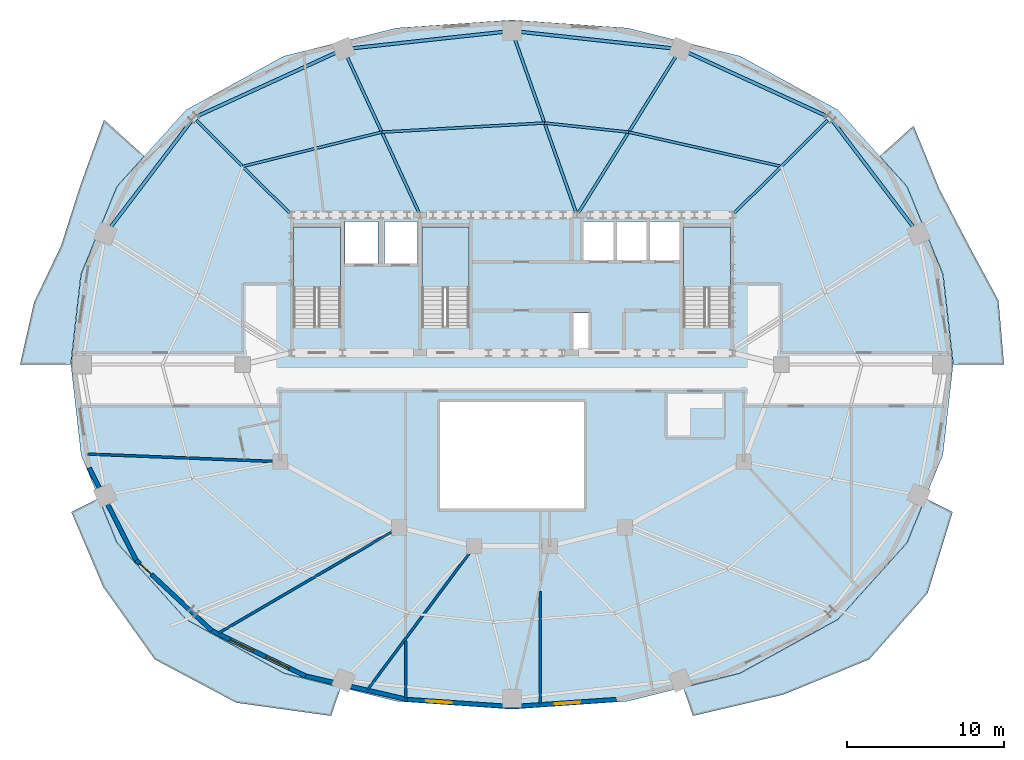
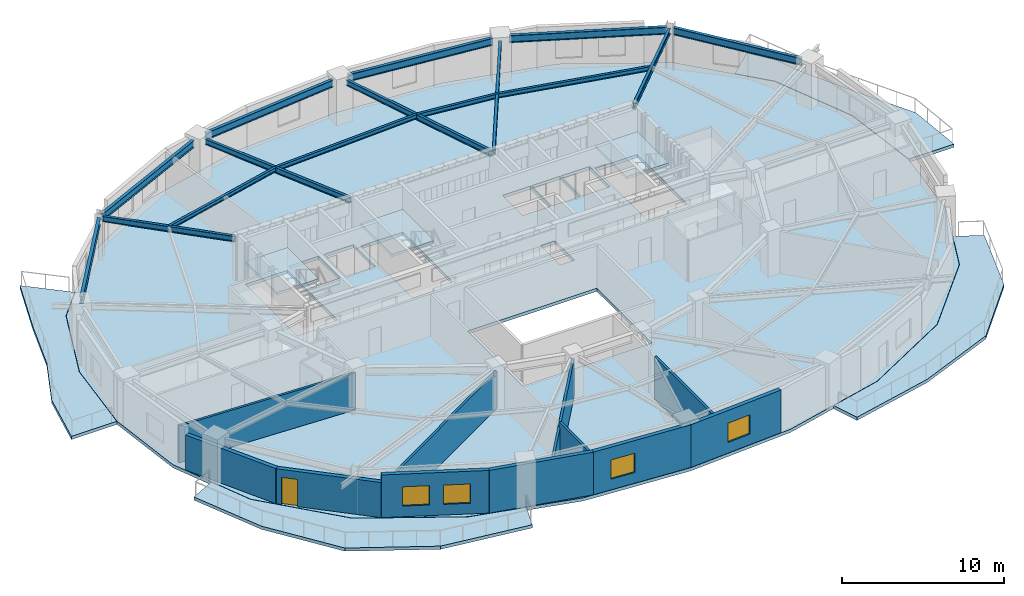
# One storey, part 3 of 11: 15 beams, 11 walls, 8 slabs, 4 windows, 1 door, 5 openings, 3 elements without a shape of their own.
"""IFC4 building model written with IfcOpenShell, lengths in metres."""

from ifc_helpers import new_model, si_unit, direction, frame, frame_2d, origin, origin_2d, place, context, subcontext, project, spatial, polyline, rectangle, i_section, outline, extrude, material, layer, layer_set, material_profile, profile_set, type_object, element, fill, aggregate, save


model = new_model("IFC4")

# Units and contexts
model_context = context("Model", 3, precision=1e-05, world=origin(), true_north=direction((0.0, 1.0)))
body_context = subcontext(model_context, "Body", "Model", "MODEL_VIEW")
ifc_project = project(units=[si_unit("LENGTHUNIT", "METRE"), si_unit("AREAUNIT", "SQUARE_METRE"), si_unit("VOLUMEUNIT", "CUBIC_METRE"), si_unit("PLANEANGLEUNIT", "RADIAN"), si_unit("MASSUNIT", "GRAM", prefix="KILO")], contexts=[model_context])

# Site, building, storey
site_placement = place(None, origin())
site = spatial("IfcSite", under=ifc_project, at=site_placement, CompositionType="ELEMENT")
building_placement = place(site_placement, origin())
building = spatial("IfcBuilding", under=site, at=building_placement, Name="Haldorwick Loom Tower", CompositionType="ELEMENT")
storey_placement = place(building_placement, frame((0.0, 0.0, 208.300048828125)))
storey = spatial("IfcBuildingStorey", under=building, at=storey_placement, Name="L56", CompositionType="ELEMENT", Elevation=208.300048828125)

# Beams
ifc_material_1 = material(Name="Steel CSA G40.21 350W", Category="steel")
ifc_material_profile_1 = material_profile(ifc_material_1, i_section(OverallWidth=0.166015625, OverallDepth=0.31298828125, WebThickness=0.006591796875, FlangeThickness=0.01123046875, at=origin_2d()), Name="W310X45", Category="steel")
ifc_profile_set_1 = profile_set([ifc_material_profile_1], Name="Steel CSA G40.21 350W")
beam_type_1 = type_object("IfcBeamType", Name="STR-BM-J310", PredefinedType="JOIST", material=ifc_profile_set_1)
beam_1_placement = place(storey_placement, frame((53.19384765625, 38.657470703125, 3.053466796875), z_axis=(-0.975700785876, 0.219107225898, 0.0), x_axis=(-0.219107225898, -0.975700785876, 0.0)))
element("IfcBeam", 1, at=beam_1_placement, inside=storey, type_object=beam_type_1, Name="L56 Mid-Bay Secondary Joist 3", PredefinedType="JOIST", context=body_context, shape_type="SweptSolid", body=[
    extrude(i_section(OverallWidth=0.166015625, OverallDepth=0.31298828125, WebThickness=0.006591796875, FlangeThickness=0.01123046875, at=origin_2d()), origin(), (0.0, 0.0, 1.0), 9.98486328125),
])
beam_2_placement = place(storey_placement, frame((43.45166015625, 40.84521484375, 3.053466796875), z_axis=(-0.994187082722, 0.107666357549, 0.0), x_axis=(-0.107666357549, -0.994187082722, 0.0)))
element("IfcBeam", 2, at=beam_2_placement, inside=storey, type_object=beam_type_1, Name="L56 Mid-Bay Secondary Joist 4", PredefinedType="JOIST", context=body_context, shape_type="SweptSolid", body=[
    extrude(i_section(OverallWidth=0.166015625, OverallDepth=0.31298828125, WebThickness=0.006591796875, FlangeThickness=0.01123046875, at=origin_2d()), origin(), (0.0, 0.0, 1.0), 5.408203125),
])
beam_3_placement = place(storey_placement, frame((38.074951171875, 41.427490234375, 3.053466796875), z_axis=(-0.998432354117, -0.05597172726, 0.0), x_axis=(0.05597172726, -0.998432354117, 0.0)))
element("IfcBeam", 3, at=beam_3_placement, inside=storey, type_object=beam_type_1, Name="L56 Mid-Bay Secondary Joist 5", PredefinedType="JOIST", context=body_context, shape_type="SweptSolid", body=[
    extrude(i_section(OverallWidth=0.166015625, OverallDepth=0.31298828125, WebThickness=0.006591796875, FlangeThickness=0.01123046875, at=origin_2d()), origin(), (0.0, 0.0, 1.0), 10.403076171875),
])
beam_4_placement = place(storey_placement, frame((27.688232421875, 40.84521484375, 3.053466796875), z_axis=(-0.970979703726, -0.239161901132, 0.0), x_axis=(0.239161901132, -0.970979703726, 0.0)))
element("IfcBeam", 4, at=beam_4_placement, inside=storey, type_object=beam_type_1, Name="L56 Mid-Bay Secondary Joist 6", PredefinedType="JOIST", context=body_context, shape_type="SweptSolid", body=[
    extrude(i_section(OverallWidth=0.166015625, OverallDepth=0.31298828125, WebThickness=0.006591796875, FlangeThickness=0.01123046875, at=origin_2d()), origin(), (0.0, 0.0, 1.0), 9.1474609375),
])
ifc_material_profile_2 = material_profile(ifc_material_1, i_section(OverallWidth=0.179931640625, OverallDepth=0.4130859375, WebThickness=0.009765625, FlangeThickness=0.01611328125, at=origin_2d()), Name="W410X74", Category="steel")
ifc_profile_set_2 = profile_set([ifc_material_profile_2], Name="Steel CSA G40.21 350W")
beam_type_2 = type_object("IfcBeamType", Name="STR-BM-J410", PredefinedType="JOIST", material=ifc_profile_set_2)
beam_5_placement = place(storey_placement, frame((50.1962890625, 35.675537109375, 3.00341796875), z_axis=(0.708962390492, 0.70524628951, 0.0), x_axis=(-0.70524628951, 0.708962390492, 0.0)))
element("IfcBeam", 5, at=beam_5_placement, inside=storey, type_object=beam_type_2, Name="L56 Radial Floor Girder 3", PredefinedType="JOIST", context=body_context, shape_type="SweptSolid", body=[
    extrude(i_section(OverallWidth=0.179931640625, OverallDepth=0.4130859375, WebThickness=0.009765625, FlangeThickness=0.01611328125, at=origin_2d()), origin(), (0.0, 0.0, 1.0), 8.409423828125),
])
beam_6_placement = place(storey_placement, frame((40.244140625, 35.700927734375, 3.00341796875), z_axis=(0.529095323143, 0.848562395483, 0.0), x_axis=(-0.848562395483, 0.529095323143, 0.0)))
element("IfcBeam", 6, at=beam_6_placement, inside=storey, type_object=beam_type_2, Name="L56 Radial Floor Girder 4", PredefinedType="JOIST", context=body_context, shape_type="SweptSolid", body=[
    extrude(i_section(OverallWidth=0.179931640625, OverallDepth=0.4130859375, WebThickness=0.009765625, FlangeThickness=0.01611328125, at=origin_2d()), origin(), (0.0, 0.0, 1.0), 11.78271484375),
])
beam_7_placement = place(storey_placement, frame((40.0908203125, 35.7177734375, 3.00341796875), z_axis=(-0.332908014691, 0.942959306521, 0.0), x_axis=(-0.942959306521, -0.332908014691, 0.0)))
element("IfcBeam", 7, at=beam_7_placement, inside=storey, type_object=beam_type_2, Name="L56 Radial Floor Girder 5", PredefinedType="JOIST", context=body_context, shape_type="SweptSolid", body=[
    extrude(i_section(OverallWidth=0.179931640625, OverallDepth=0.4130859375, WebThickness=0.009765625, FlangeThickness=0.01611328125, at=origin_2d()), origin(), (0.0, 0.0, 1.0), 11.768310546875),
])
beam_8_placement = place(storey_placement, frame((30.055419921875, 35.711669921875, 3.00341796875), z_axis=(-0.418729142855, 0.908111174319, 0.0), x_axis=(-0.908111174319, -0.418729142855, 0.0)))
element("IfcBeam", 8, at=beam_8_placement, inside=storey, type_object=beam_type_2, Name="L56 Radial Floor Girder 6", PredefinedType="JOIST", context=body_context, shape_type="SweptSolid", body=[
    extrude(i_section(OverallWidth=0.179931640625, OverallDepth=0.4130859375, WebThickness=0.009765625, FlangeThickness=0.01611328125, at=origin_2d()), origin(), (0.0, 0.0, 1.0), 10.96435546875),
])
beam_9_placement = place(storey_placement, frame((21.8037109375, 35.675537109375, 3.00341796875), z_axis=(-0.708962390492, 0.70524628951, 0.0), x_axis=(-0.70524628951, -0.708962390492, 0.0)))
element("IfcBeam", 9, at=beam_9_placement, inside=storey, type_object=beam_type_2, Name="L56 Radial Floor Girder 7", PredefinedType="JOIST", context=body_context, shape_type="SweptSolid", body=[
    extrude(i_section(OverallWidth=0.179931640625, OverallDepth=0.4130859375, WebThickness=0.009765625, FlangeThickness=0.01611328125, at=origin_2d()), origin(), (0.0, 0.0, 1.0), 8.409423828125),
])
ifc_material_profile_3 = material_profile(ifc_material_1, i_section(OverallWidth=0.2119140625, OverallDepth=0.5439453125, WebThickness=0.01318359375, FlangeThickness=0.021240234375, at=origin_2d()), Name="W530X123", Category="steel")
ifc_profile_set_3 = profile_set([ifc_material_profile_3], Name="Steel CSA G40.21 350W")
beam_type_3 = type_object("IfcBeamType", Name="STR-BM-SP530", PredefinedType="SPANDREL", material=ifc_profile_set_3)
beam_10_placement = place(storey_placement, frame((61.646240234375, 34.75634765625, 2.93798828125), z_axis=(-0.605236944797, 0.796045376001, 0.0), x_axis=(-0.796045376001, -0.605236944797, 0.0)))
element("IfcBeam", 10, at=beam_10_placement, inside=storey, type_object=beam_type_3, Name="L56 Perimeter Spandrel 2", PredefinedType="SPANDREL", context=body_context, shape_type="SweptSolid", body=[
    extrude(i_section(OverallWidth=0.2119140625, OverallDepth=0.5439453125, WebThickness=0.01318359375, FlangeThickness=0.021240234375, at=origin_2d()), origin(), (0.0, 0.0, 1.0), 8.5791015625),
])
beam_11_placement = place(storey_placement, frame((56.113037109375, 41.8583984375, 2.93798828125), z_axis=(-0.909342182232, 0.416049030299, 0.0), x_axis=(-0.416049030299, -0.909342182232, 0.0)))
element("IfcBeam", 11, at=beam_11_placement, inside=storey, type_object=beam_type_3, Name="L56 Perimeter Spandrel 3", PredefinedType="SPANDREL", context=body_context, shape_type="SweptSolid", body=[
    extrude(i_section(OverallWidth=0.2119140625, OverallDepth=0.5439453125, WebThickness=0.01318359375, FlangeThickness=0.021240234375, at=origin_2d()), origin(), (0.0, 0.0, 1.0), 9.772705078125),
])
for number, where, z_axis, x_axis, name in (
    (12, (46.236328125, 46.196533203125, 2.93798828125), (-0.994187774205, 0.107659972233, 0.0), (-0.107659972233, -0.994187774205, 0.0), "L56 Perimeter Spandrel 4"),
    (13, (35.48291015625, 47.2490234375, 2.93798828125), (-0.994187774205, -0.107659972233, 0.0), (0.107659972233, -0.994187774205, 0.0), "L56 Perimeter Spandrel 5"),
):
    element("IfcBeam", number, at=place(storey_placement, frame(where, z_axis=z_axis, x_axis=x_axis)), inside=storey, type_object=beam_type_3, Name=name, PredefinedType="SPANDREL", context=body_context, shape_type="SweptSolid", body=[
        extrude(i_section(OverallWidth=0.2119140625, OverallDepth=0.5439453125, WebThickness=0.01318359375, FlangeThickness=0.021240234375, at=origin_2d()), origin(), (0.0, 0.0, 1.0), 9.776123046875),
    ])
beam_12_placement = place(storey_placement, frame((24.773681640625, 45.92431640625, 2.93798828125), z_axis=(-0.909342182232, -0.416049030299, 0.0), x_axis=(0.416049030299, -0.909342182232, 0.0)))
element("IfcBeam", 14, at=beam_12_placement, inside=storey, type_object=beam_type_3, Name="L56 Perimeter Spandrel 6", PredefinedType="SPANDREL", context=body_context, shape_type="SweptSolid", body=[
    extrude(i_section(OverallWidth=0.2119140625, OverallDepth=0.5439453125, WebThickness=0.01318359375, FlangeThickness=0.021240234375, at=origin_2d()), origin(), (0.0, 0.0, 1.0), 9.772705078125),
])
beam_13_placement = place(storey_placement, frame((15.546142578125, 41.585693359375, 2.93798828125), z_axis=(-0.605236944797, -0.796045376001, 0.0), x_axis=(0.796045376001, -0.605236944797, 0.0)))
element("IfcBeam", 15, at=beam_13_placement, inside=storey, type_object=beam_type_3, Name="L56 Perimeter Spandrel 7", PredefinedType="SPANDREL", context=body_context, shape_type="SweptSolid", body=[
    extrude(i_section(OverallWidth=0.2119140625, OverallDepth=0.5439453125, WebThickness=0.01318359375, FlangeThickness=0.021240234375, at=origin_2d()), origin(), (0.0, 0.0, 1.0), 8.5791015625),
])

# Slabs
ifc_material_2 = material(Name="Concrete C40 (40 MPa)", Category="concrete")
ifc_layer_1 = layer(ifc_material_2, 0.239990234375, Name="Concrete C40 (40 MPa)", Category="concrete")
ifc_layer_set_1 = layer_set([ifc_layer_1], Name="Concrete C40 (40 MPa)")
slab_type_1 = type_object("IfcSlabType", Name="STR-SLB-BAL240", PredefinedType="FLOOR", material=ifc_layer_set_1)
slab_1_placement = place(storey_placement, frame((0.0, 0.0, -0.239990234375)))
element("IfcSlab", 16, at=slab_1_placement, inside=storey, type_object=slab_type_1, Name="L56 Sinusoidal Balcony Terrace BAL_SE", PredefinedType="FLOOR", context=body_context, shape_type="SweptSolid", body=[
    extrude(outline(polyline([(62.392578125, 17.462646484375), (61.229736328125, 14.62060546875), (61.229248046875, 14.619384765625), (61.228515625, 14.6181640625), (61.227783203125, 14.6171875), (61.22705078125, 14.6162109375), (56.82373046875, 9.72998046875), (56.82275390625, 9.72900390625), (56.8212890625, 9.727783203125), (56.81982421875, 9.72705078125), (50.565673828125, 6.287109375), (50.564453125, 6.286376953125), (50.563232421875, 6.285888671875), (50.56201171875, 6.285400390625), (46.935791015625, 5.380126953125), (47.552734375, 3.570068359375), (53.33056640625, 4.9296875), (58.8134765625, 7.178955078125), (62.54052734375, 11.405029296875), (64.133056640625, 16.580810546875), (62.392578125, 17.462646484375)])), origin(), (0.0, 0.0, 1.0), 0.239990234375),
])
slab_2_placement = place(storey_placement, frame((0.0, 0.0, -0.239990234375)))
element("IfcSlab", 17, at=slab_2_placement, inside=storey, type_object=slab_type_1, Name="L56 Sinusoidal Balcony Terrace BAL_SW", PredefinedType="FLOOR", context=body_context, shape_type="SweptSolid", body=[
    extrude(outline(polyline([(25.064208984375, 5.380126953125), (21.43798828125, 6.285400390625), (21.436767578125, 6.285888671875), (21.435546875, 6.286376953125), (21.434326171875, 6.287109375), (15.18017578125, 9.72705078125), (15.1787109375, 9.727783203125), (15.17724609375, 9.72900390625), (15.17626953125, 9.72998046875), (10.77294921875, 14.6162109375), (10.772216796875, 14.6171875), (10.771484375, 14.6181640625), (10.770751953125, 14.619384765625), (10.770263671875, 14.62060546875), (9.607421875, 17.462646484375), (7.866943359375, 16.580810546875), (9.905517578125, 11.78662109375), (13.1865234375, 7.178955078125), (18.397705078125, 4.4091796875), (24.447265625, 3.570068359375), (25.064208984375, 5.380126953125)])), origin(), (0.0, 0.0, 1.0), 0.239990234375),
])
slab_3_placement = place(storey_placement, frame((0.0, 0.0, -0.239990234375)))
element("IfcSlab", 18, at=slab_3_placement, inside=storey, type_object=slab_type_1, Name="L56 Sinusoidal Balcony Terrace BAL_WNW", PredefinedType="FLOOR", context=body_context, shape_type="SweptSolid", body=[
    extrude(outline(polyline([(7.818603515625, 26.0), (7.818603515625, 26.001708984375), (8.472412109375, 31.760986328125), (8.47265625, 31.762451171875), (8.472900390625, 31.763916015625), (8.473388671875, 31.76513671875), (10.770263671875, 37.37939453125), (10.770751953125, 37.380615234375), (10.771484375, 37.3818359375), (10.772216796875, 37.3828125), (10.77294921875, 37.3837890625), (12.51318359375, 39.315185546875), (9.95068359375, 41.6318359375), (8.429443359375, 37.416015625), (7.20166015625, 33.568603515625), (5.4833984375, 29.979736328125), (4.58349609375, 26.0), (7.818603515625, 26.0)])), origin(), (0.0, 0.0, 1.0), 0.239990234375),
])
slab_4_placement = place(storey_placement, frame((0.0, 0.0, -0.239990234375)))
element("IfcSlab", 19, at=slab_4_placement, inside=storey, type_object=slab_type_1, Name="L56 Sinusoidal Balcony Terrace BAL_ENE", PredefinedType="FLOOR", context=body_context, shape_type="SweptSolid", body=[
    extrude(outline(polyline([(59.487060546875, 39.314697265625), (61.22705078125, 37.3837890625), (61.227783203125, 37.3828125), (61.228515625, 37.3818359375), (61.229248046875, 37.380615234375), (61.229736328125, 37.37939453125), (63.526611328125, 31.76513671875), (63.527099609375, 31.763916015625), (63.52734375, 31.762451171875), (63.527587890625, 31.760986328125), (64.181396484375, 26.001708984375), (64.181396484375, 26.0), (67.41650390625, 26.0), (67.06396484375, 30.090576171875), (65.116943359375, 33.701171875), (63.281494140625, 37.227294921875), (61.640380859375, 41.251708984375), (59.487060546875, 39.314697265625)])), origin(), (0.0, 0.0, 1.0), 0.239990234375),
])

# Stair, slab
stair_type = type_object("IfcStairType", Name="STR-STR-CORE", PredefinedType="HALF_TURN_STAIR", material=ifc_material_2)
stair_1_placement = place(storey_placement, origin())
stair_1 = element("IfcStair", 20, at=stair_1_placement, inside=storey, type_object=stair_type, Name="L56 Exit Stair ST-01", PredefinedType="HALF_TURN_STAIR")
ifc_layer_2 = layer(ifc_material_2, 0.199951171875, Name="Concrete C40 (40 MPa)", Category="concrete")
ifc_layer_set_2 = layer_set([ifc_layer_2], Name="Concrete C40 (40 MPa)")
slab_type_2 = type_object("IfcSlabType", Name="STR-SLB-LAND200", PredefinedType="LANDING", material=ifc_layer_set_2)
slab_5_placement = place(storey_placement, frame((0.0, 0.0, 1.52490234375)))
slab_5 = element("IfcSlab", 21, at=slab_5_placement, type_object=slab_type_2, Name="ST-01 landing 1", PredefinedType="LANDING", context=body_context, shape_type="SweptSolid", body=[
    extrude(outline(polyline([(25.050048828125, 30.919921875), (25.050048828125, 34.800048828125), (22.050048828125, 34.800048828125), (22.050048828125, 30.919921875), (25.050048828125, 30.919921875)])), origin(), (0.0, 0.0, 1.0), 0.199951171875),
])
aggregate(stair_1, [slab_5])

stair_2_placement = place(storey_placement, origin())
stair_2 = element("IfcStair", 22, at=stair_2_placement, inside=storey, type_object=stair_type, Name="L56 Exit Stair ST-02", PredefinedType="HALF_TURN_STAIR")
slab_6_placement = place(storey_placement, frame((0.0, 0.0, 1.52490234375)))
slab_6 = element("IfcSlab", 23, at=slab_6_placement, type_object=slab_type_2, Name="ST-02 landing 1", PredefinedType="LANDING", context=body_context, shape_type="SweptSolid", body=[
    extrude(outline(polyline([(49.949951171875, 30.919921875), (49.949951171875, 34.800048828125), (46.949951171875, 34.800048828125), (46.949951171875, 30.919921875), (49.949951171875, 30.919921875)])), origin(), (0.0, 0.0, 1.0), 0.199951171875),
])
aggregate(stair_2, [slab_6])

stair_3_placement = place(storey_placement, origin())
stair_3 = element("IfcStair", 24, at=stair_3_placement, inside=storey, type_object=stair_type, Name="L56 Exit Stair ST-03", PredefinedType="HALF_TURN_STAIR")
slab_7_placement = place(storey_placement, frame((0.0, 0.0, 1.52490234375)))
slab_7 = element("IfcSlab", 25, at=slab_7_placement, type_object=slab_type_2, Name="ST-03 landing 1", PredefinedType="LANDING", context=body_context, shape_type="SweptSolid", body=[
    extrude(outline(polyline([(33.25, 30.919921875), (33.25, 34.800048828125), (30.25, 34.800048828125), (30.25, 30.919921875), (33.25, 30.919921875)])), origin(), (0.0, 0.0, 1.0), 0.199951171875),
])
aggregate(stair_3, [slab_7])

# Slab
ifc_layer_3 = layer(ifc_material_2, 0.239990234375, Name="Concrete C40 (40 MPa)", Category="concrete")
ifc_layer_set_3 = layer_set([ifc_layer_3], Name="Concrete C40 (40 MPa)")
slab_type_3 = type_object("IfcSlabType", Name="STR-SLB-RES240", PredefinedType="FLOOR", material=ifc_layer_set_3)
slab_8_placement = place(storey_placement, frame((0.0, 0.0, -0.239990234375)))
element("IfcSlab", 26, at=slab_8_placement, inside=storey, type_object=slab_type_3, Name="L56 Residential Structural Floor Slab", PredefinedType="FLOOR", context=body_context, shape_type="SweptSolid", body=[
    extrude(outline(polyline([(56.812744140625, 9.739990234375), (61.2158203125, 14.626220703125), (63.5126953125, 20.240478515625), (64.16650390625, 26.0), (63.5126953125, 31.759521484375), (61.2158203125, 37.373779296875), (56.812744140625, 42.260009765625), (50.558349609375, 45.699951171875), (43.3720703125, 47.494384765625), (36.0, 48.0048828125), (28.6279296875, 47.494384765625), (21.441650390625, 45.699951171875), (15.187255859375, 42.260009765625), (10.7841796875, 37.373779296875), (8.4873046875, 31.759521484375), (7.83349609375, 26.0), (8.4873046875, 20.240478515625), (10.7841796875, 14.626220703125), (15.187255859375, 9.739990234375), (21.441650390625, 6.300048828125), (28.6279296875, 4.505615234375), (36.0, 3.9951171875), (43.3720703125, 4.505615234375), (50.558349609375, 6.300048828125), (56.812744140625, 9.739990234375)]), holes=[polyline([(31.39990234375, 16.800048828125), (31.39990234375, 23.60009765625), (40.60009765625, 23.60009765625), (40.60009765625, 16.800048828125), (31.39990234375, 16.800048828125)]), polyline([(40.89990234375, 26.89990234375), (39.89990234375, 26.89990234375), (39.89990234375, 29.300048828125), (40.89990234375, 29.300048828125), (40.89990234375, 26.89990234375)]), polyline([(23.6201171875, 28.39990234375), (22.050048828125, 28.39990234375), (22.050048828125, 34.800048828125), (25.050048828125, 34.800048828125), (25.050048828125, 28.639892578125), (23.6201171875, 28.639892578125), (23.6201171875, 28.39990234375)]), polyline([(30.25, 28.39990234375), (30.25, 34.800048828125), (33.25, 34.800048828125), (33.25, 28.639892578125), (31.820068359375, 28.639892578125), (31.820068359375, 28.39990234375), (30.25, 28.39990234375)]), polyline([(46.949951171875, 28.39990234375), (46.949951171875, 34.800048828125), (49.949951171875, 34.800048828125), (49.949951171875, 28.639892578125), (48.52001953125, 28.639892578125), (48.52001953125, 28.39990234375), (46.949951171875, 28.39990234375)]), polyline([(27.449951171875, 32.449951171875), (25.35009765625, 32.449951171875), (25.35009765625, 35.14990234375), (27.449951171875, 35.14990234375), (27.449951171875, 32.449951171875)]), polyline([(29.949951171875, 32.449951171875), (27.85009765625, 32.449951171875), (27.85009765625, 35.14990234375), (29.949951171875, 35.14990234375), (29.949951171875, 32.449951171875)]), polyline([(42.550048828125, 32.64990234375), (40.550048828125, 32.64990234375), (40.550048828125, 35.14990234375), (42.550048828125, 35.14990234375), (42.550048828125, 32.64990234375)]), polyline([(42.64990234375, 32.64990234375), (42.64990234375, 35.14990234375), (44.64990234375, 35.14990234375), (44.64990234375, 32.64990234375), (42.64990234375, 32.64990234375)]), polyline([(44.75, 32.64990234375), (44.75, 35.14990234375), (46.75, 35.14990234375), (46.75, 32.64990234375), (44.75, 32.64990234375)])]), origin(), (0.0, 0.0, 1.0), 0.239990234375),
])

# Wall
ifc_material_3 = material(Name="Pressed Clay Face Brick and Insulated Masonry Backup Assembly", Category="masonry")
ifc_layer_4 = layer(ifc_material_3, 0.280029296875, Name="Pressed Clay Face Brick and Insulated Masonry Backup Assembly", Category="masonry")
ifc_layer_set_4 = layer_set([ifc_layer_4], Name="Pressed Clay Face Brick and Insulated Masonry Backup Assembly")
wall_type_1 = type_object("IfcWallType", Name="ARC-WL-EXT280", PredefinedType="STANDARD", material=ifc_layer_set_4)
wall_1_placement = place(storey_placement, frame((8.995849609375, 19.415283203125, 0.0), z_axis=(0.0, 0.0, 1.0), x_axis=(0.453032066879, -0.89149422117, 0.0)))
element("IfcWall", 27, at=wall_1_placement, inside=storey, type_object=wall_type_1, Name="L56 Brick Pier and Spandrel Wall 14", PredefinedType="STANDARD", context=body_context, shape_type="SweptSolid", body=[
    extrude(rectangle(XDim=6.618896484375, YDim=0.280029296875, at=frame_2d((3.3095703125, 0.0))), origin(), (0.0, 0.0, 1.0), 2.640869140625),
])

# Wall, opening, door
wall_2_placement = place(storey_placement, frame((11.994384765625, 13.5146484375, 0.0), z_axis=(0.0, 0.0, 1.0), x_axis=(0.731833707499, -0.681483253329, 0.0)))
wall_2 = element("IfcWall", 28, at=wall_2_placement, inside=storey, type_object=wall_type_1, Name="L56 Brick Pier and Spandrel Wall 15", PredefinedType="STANDARD", context=body_context, shape_type="SweptSolid", body=[
    extrude(rectangle(XDim=6.61865234375, YDim=0.280029296875, at=frame_2d((3.309326171875, 0.0))), origin(), (0.0, 0.0, 1.0), 2.640869140625),
])
opening_1_placement = place(wall_2_placement, frame((0.340087890625, 0.0, 0.0)))
opening_1 = element("IfcOpeningElement", 29, at=opening_1_placement, cuts=wall_2, Name="Opening D-BL10", PredefinedType="OPENING", context=body_context, shape_type="SweptSolid", body=[
    extrude(rectangle(XDim=1.0, YDim=2.0400390625, at=frame_2d((0.5, 1.02001953125))), frame((0.0, 0.14990234375, 0.0), z_axis=(0.0, -1.0, 0.0), x_axis=(1.0, 0.0, 0.0)), (0.0, 0.0, 1.0), 0.300048828125),
])
ifc_material_4 = material(Name="Thermally Broken Anodized Aluminium Curtain Wall Framing", Category="aluminium")
door_type = type_object("IfcDoorType", Name="ARC-DR-BAL100", OperationType="NOTDEFINED", PredefinedType="DOOR", material=ifc_material_4)
door_placement = place(opening_1_placement, origin())
door = element("IfcDoor", 30, at=door_placement, inside=storey, type_object=door_type, Name="L56 Outdoor Terrace Door SLB-L56-BAL_SW", OperationType="SINGLE_SWING_LEFT", OverallHeight=2.0400390625, OverallWidth=1.0, PredefinedType="DOOR", context=body_context, shape_type="SweptSolid", body=[
    extrude(rectangle(XDim=1.0, YDim=2.0400390625, at=frame_2d((0.5, 1.02001953125))), frame((0.0, 0.02490234375, 0.0), z_axis=(0.0, -1.0, 0.0), x_axis=(1.0, 0.0, 0.0)), (0.0, 0.0, 1.0), 0.050048828125),
])
fill(opening_1, door)

# Wall, openings, windows
wall_3_placement = place(storey_placement, frame((16.838134765625, 9.004150390625, 0.0), z_axis=(0.0, 0.0, 1.0), x_axis=(0.900371236029, -0.435122554381, 0.0)))
wall_3 = element("IfcWall", 31, at=wall_3_placement, inside=storey, type_object=wall_type_1, Name="L56 Brick Pier and Spandrel Wall 16", PredefinedType="STANDARD", context=body_context, shape_type="SweptSolid", body=[
    extrude(rectangle(XDim=6.6533203125, YDim=0.280029296875, at=frame_2d((3.32666015625, 0.0))), origin(), (0.0, 0.0, 1.0), 3.2099609375),
])
opening_2_placement = place(wall_3_placement, frame((1.30078125, 0.0, 0.800048828125)))
opening_2 = element("IfcOpeningElement", 32, at=opening_2_placement, cuts=wall_3, Name="Opening W-01B", PredefinedType="OPENING", context=body_context, shape_type="SweptSolid", body=[
    extrude(rectangle(XDim=1.64990234375, YDim=1.449951171875, at=frame_2d((0.824951171875, 0.72509765625))), frame((0.0, 0.14990234375, 0.0), z_axis=(0.0, -1.0, 0.0), x_axis=(1.0, 0.0, 0.0)), (0.0, 0.0, 1.0), 0.300048828125),
])
opening_3_placement = place(wall_3_placement, frame((3.832275390625, 0.0, 0.800048828125)))
opening_3 = element("IfcOpeningElement", 33, at=opening_3_placement, cuts=wall_3, Name="Opening W-01B", PredefinedType="OPENING", context=body_context, shape_type="SweptSolid", body=[
    extrude(rectangle(XDim=1.64990234375, YDim=1.449951171875, at=frame_2d((0.824951171875, 0.72509765625))), frame((0.0, 0.14990234375, 0.0), z_axis=(0.0, -1.0, 0.0), x_axis=(1.0, 0.0, 0.0)), (0.0, 0.0, 1.0), 0.300048828125),
])
ifc_material_5 = material(Name="Triple-Glazed Low-E Argon Insulated Glazing Unit", Category="glass")
window_type = type_object("IfcWindowType", Name="ARC-WIN-W165", PartitioningType="SINGLE_PANEL", PredefinedType="WINDOW", material=ifc_material_5)
window_1_placement = place(opening_2_placement, origin())
window_1 = element("IfcWindow", 34, at=window_1_placement, inside=storey, type_object=window_type, Name="L56 Deep-Set Zone 7A Window 16", OverallHeight=1.449951171875, OverallWidth=1.64990234375, PartitioningType="SINGLE_PANEL", PredefinedType="WINDOW", context=body_context, shape_type="SweptSolid", body=[
    extrude(rectangle(XDim=1.64990234375, YDim=1.449951171875, at=frame_2d((0.824951171875, 0.72509765625))), frame((0.0, 0.030029296875, 0.0), z_axis=(0.0, -1.0, 0.0), x_axis=(1.0, 0.0, 0.0)), (0.0, 0.0, 1.0), 0.06005859375),
])
fill(opening_2, window_1)
window_2_placement = place(opening_3_placement, origin())
window_2 = element("IfcWindow", 35, at=window_2_placement, inside=storey, type_object=window_type, Name="L56 Deep-Set Zone 7A Window 16", OverallHeight=1.449951171875, OverallWidth=1.64990234375, PartitioningType="SINGLE_PANEL", PredefinedType="WINDOW", context=body_context, shape_type="SweptSolid", body=[
    extrude(rectangle(XDim=1.64990234375, YDim=1.449951171875, at=frame_2d((0.824951171875, 0.72509765625))), frame((0.0, 0.030029296875, 0.0), z_axis=(0.0, -1.0, 0.0), x_axis=(1.0, 0.0, 0.0)), (0.0, 0.0, 1.0), 0.06005859375),
])
fill(opening_3, window_2)

# Wall
wall_4_placement = place(storey_placement, frame((22.82861328125, 6.109130859375, 0.0), z_axis=(0.0, 0.0, 1.0), x_axis=(0.974557343474, -0.224138315065, 0.0)))
element("IfcWall", 36, at=wall_4_placement, inside=storey, type_object=wall_type_1, Name="L56 Brick Pier and Spandrel Wall 17", PredefinedType="STANDARD", context=body_context, shape_type="SweptSolid", body=[
    extrude(rectangle(XDim=6.676025390625, YDim=0.280029296875, at=frame_2d((3.337890625, 0.0))), origin(), (0.0, 0.0, 1.0), 3.2099609375),
])

# Wall, opening, window
wall_5_placement = place(storey_placement, frame((29.334716796875, 4.61279296875, 0.0), z_axis=(0.0, 0.0, 1.0), x_axis=(0.99764992135, -0.068517402386, 0.0)))
wall_5 = element("IfcWall", 37, at=wall_5_placement, inside=storey, type_object=wall_type_1, Name="L56 Brick Pier and Spandrel Wall 18", PredefinedType="STANDARD", context=body_context, shape_type="SweptSolid", body=[
    extrude(rectangle(XDim=6.680908203125, YDim=0.280029296875, at=frame_2d((3.34033203125, 0.0))), origin(), (0.0, 0.0, 1.0), 3.2099609375),
])
opening_4_placement = place(wall_5_placement, frame((1.17919921875, 0.0, 0.800048828125)))
opening_4 = element("IfcOpeningElement", 38, at=opening_4_placement, cuts=wall_5, Name="Opening W-01B", PredefinedType="OPENING", context=body_context, shape_type="SweptSolid", body=[
    extrude(rectangle(XDim=1.64990234375, YDim=1.449951171875, at=frame_2d((0.824951171875, 0.72509765625))), frame((0.0, 0.14990234375, 0.0), z_axis=(0.0, -1.0, 0.0), x_axis=(1.0, 0.0, 0.0)), (0.0, 0.0, 1.0), 0.300048828125),
])
window_3_placement = place(opening_4_placement, origin())
window_3 = element("IfcWindow", 39, at=window_3_placement, inside=storey, type_object=window_type, Name="L56 Deep-Set Zone 7A Window 18", OverallHeight=1.449951171875, OverallWidth=1.64990234375, PartitioningType="SINGLE_PANEL", PredefinedType="WINDOW", context=body_context, shape_type="SweptSolid", body=[
    extrude(rectangle(XDim=1.64990234375, YDim=1.449951171875, at=frame_2d((0.824951171875, 0.72509765625))), frame((0.0, 0.030029296875, 0.0), z_axis=(0.0, -1.0, 0.0), x_axis=(1.0, 0.0, 0.0)), (0.0, 0.0, 1.0), 0.06005859375),
])
fill(opening_4, window_3)

wall_6_placement = place(storey_placement, frame((36.0, 4.155029296875, 0.0), z_axis=(0.0, 0.0, 1.0), x_axis=(0.99764992135, 0.068517402386, 0.0)))
wall_6 = element("IfcWall", 40, at=wall_6_placement, inside=storey, type_object=wall_type_1, Name="L56 Brick Pier and Spandrel Wall 19", PredefinedType="STANDARD", context=body_context, shape_type="SweptSolid", body=[
    extrude(rectangle(XDim=6.680908203125, YDim=0.280029296875, at=frame_2d((3.34033203125, 0.0))), origin(), (0.0, 0.0, 1.0), 3.2099609375),
])
opening_5_placement = place(wall_6_placement, frame((2.72412109375, 0.0, 0.800048828125)))
opening_5 = element("IfcOpeningElement", 41, at=opening_5_placement, cuts=wall_6, Name="Opening W-01B", PredefinedType="OPENING", context=body_context, shape_type="SweptSolid", body=[
    extrude(rectangle(XDim=1.64990234375, YDim=1.449951171875, at=frame_2d((0.824951171875, 0.72509765625))), frame((0.0, 0.14990234375, 0.0), z_axis=(0.0, -1.0, 0.0), x_axis=(1.0, 0.0, 0.0)), (0.0, 0.0, 1.0), 0.300048828125),
])
window_4_placement = place(opening_5_placement, origin())
window_4 = element("IfcWindow", 42, at=window_4_placement, inside=storey, type_object=window_type, Name="L56 Deep-Set Zone 7A Window 19", OverallHeight=1.449951171875, OverallWidth=1.64990234375, PartitioningType="SINGLE_PANEL", PredefinedType="WINDOW", context=body_context, shape_type="SweptSolid", body=[
    extrude(rectangle(XDim=1.64990234375, YDim=1.449951171875, at=frame_2d((0.824951171875, 0.72509765625))), frame((0.0, 0.030029296875, 0.0), z_axis=(0.0, -1.0, 0.0), x_axis=(1.0, 0.0, 0.0)), (0.0, 0.0, 1.0), 0.06005859375),
])
fill(opening_5, window_4)

# Walls
ifc_material_6 = material(Name="Fire-Rated Type X Gypsum Stud Assembly EI 60")
ifc_layer_5 = layer(ifc_material_6, 0.159912109375, Name="Fire-Rated Type X Gypsum Stud Assembly EI 60")
ifc_layer_set_5 = layer_set([ifc_layer_5], Name="Fire-Rated Type X Gypsum Stud Assembly EI 60")
wall_type_2 = type_object("IfcWallType", Name="ARC-WL-FIRE160", PredefinedType="PARTITIONING", material=ifc_layer_set_5)
wall_7_placement = place(storey_placement, frame((33.60009765625, 14.39990234375, 0.0), z_axis=(0.0, 0.0, 1.0), x_axis=(-0.597492108958, -0.801874790559, 0.0)))
element("IfcWall", 43, at=wall_7_placement, inside=storey, type_object=wall_type_2, Name="L56 Residential Fire Partition L56-ICR-08", PredefinedType="PARTITIONING", context=body_context, shape_type="SweptSolid", body=[
    extrude(rectangle(XDim=11.414794921875, YDim=0.159912109375, at=frame_2d((5.70751953125, 0.0))), origin(), (0.0, 0.0, 1.0), 2.77197265625),
])
wall_8_placement = place(storey_placement, frame((28.800048828125, 15.60009765625, 0.0), z_axis=(0.0, 0.0, 1.0), x_axis=(-0.863354797211, -0.504597358428, 0.0)))
element("IfcWall", 44, at=wall_8_placement, inside=storey, type_object=wall_type_2, Name="L56 Residential Fire Partition L56-ICR-10", PredefinedType="PARTITIONING", context=body_context, shape_type="SweptSolid", body=[
    extrude(rectangle(XDim=13.3720703125, YDim=0.159912109375, at=frame_2d((6.68603515625, 0.0))), origin(), (0.0, 0.0, 1.0), 2.77197265625),
])
wall_9_placement = place(storey_placement, frame((21.199951171875, 19.800048828125, 0.0), z_axis=(0.0, 0.0, 1.0), x_axis=(-0.999215005208, 0.039615317318, 0.0)))
element("IfcWall", 45, at=wall_9_placement, inside=storey, type_object=wall_type_2, Name="L56 Residential Fire Partition L56-ICR-12", PredefinedType="PARTITIONING", context=body_context, shape_type="SweptSolid", body=[
    extrude(rectangle(XDim=12.301025390625, YDim=0.159912109375, at=frame_2d((6.150390625, 0.0))), origin(), (0.0, 0.0, 1.0), 2.77197265625),
])
wall_10_placement = place(storey_placement, frame((29.199951171875, 4.68994140625, 0.0), z_axis=(0.0, 0.0, 1.0), x_axis=(0.0, 1.0, 0.0)))
element("IfcWall", 46, at=wall_10_placement, inside=storey, type_object=wall_type_2, Name="L56 Residential Fire Partition L56-SBP-0", PredefinedType="PARTITIONING", context=body_context, shape_type="SweptSolid", body=[
    extrude(rectangle(XDim=3.665771484375, YDim=0.159912109375, at=frame_2d((1.8330078125, 0.0))), origin(), (0.0, 0.0, 1.0), 3.195068359375),
])
wall_11_placement = place(storey_placement, frame((37.800048828125, 4.32373046875, 0.0), z_axis=(0.0, 0.0, 1.0), x_axis=(0.0, 1.0, 0.0)))
element("IfcWall", 47, at=wall_11_placement, inside=storey, type_object=wall_type_2, Name="L56 Residential Fire Partition L56-SBP-1", PredefinedType="PARTITIONING", context=body_context, shape_type="SweptSolid", body=[
    extrude(rectangle(XDim=7.1796875, YDim=0.159912109375, at=frame_2d((3.58984375, 0.0))), origin(), (0.0, 0.0, 1.0), 3.195068359375),
])

save(model, "model.ifc")
